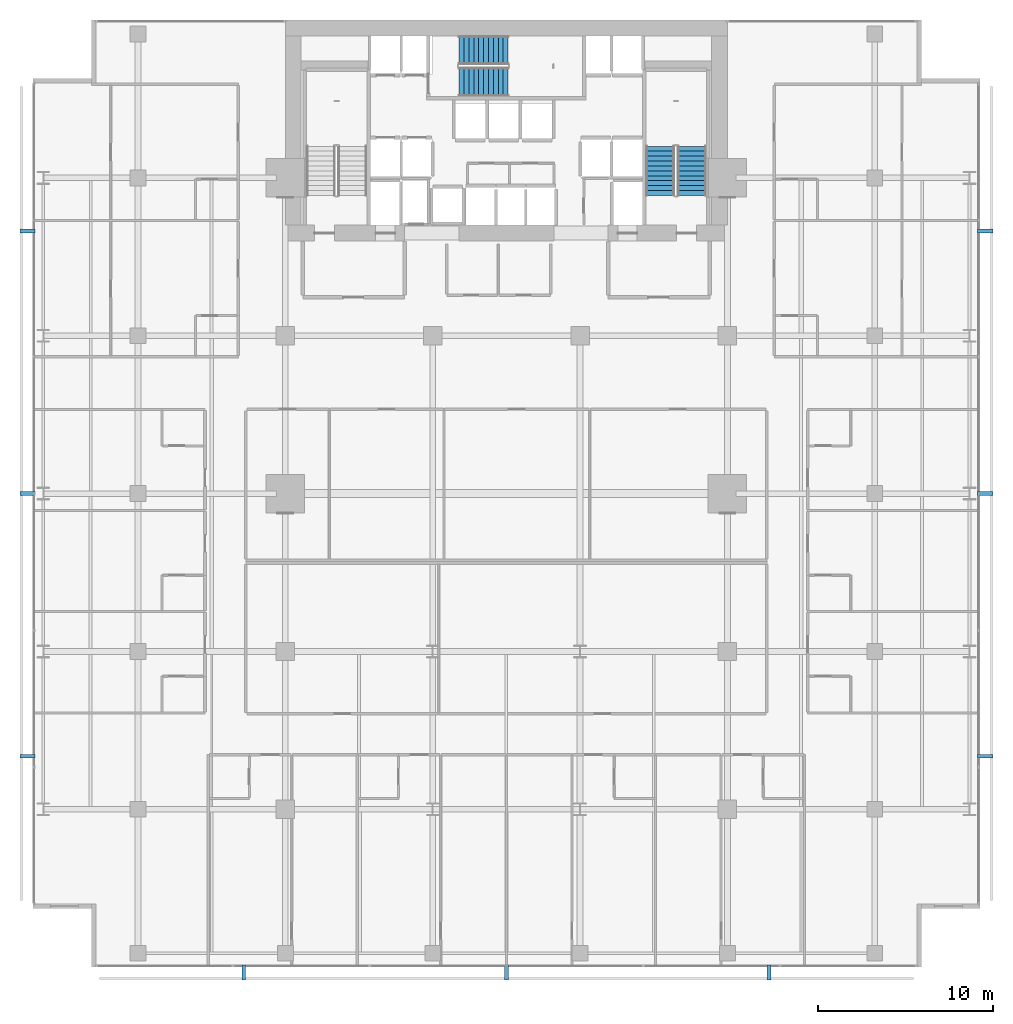
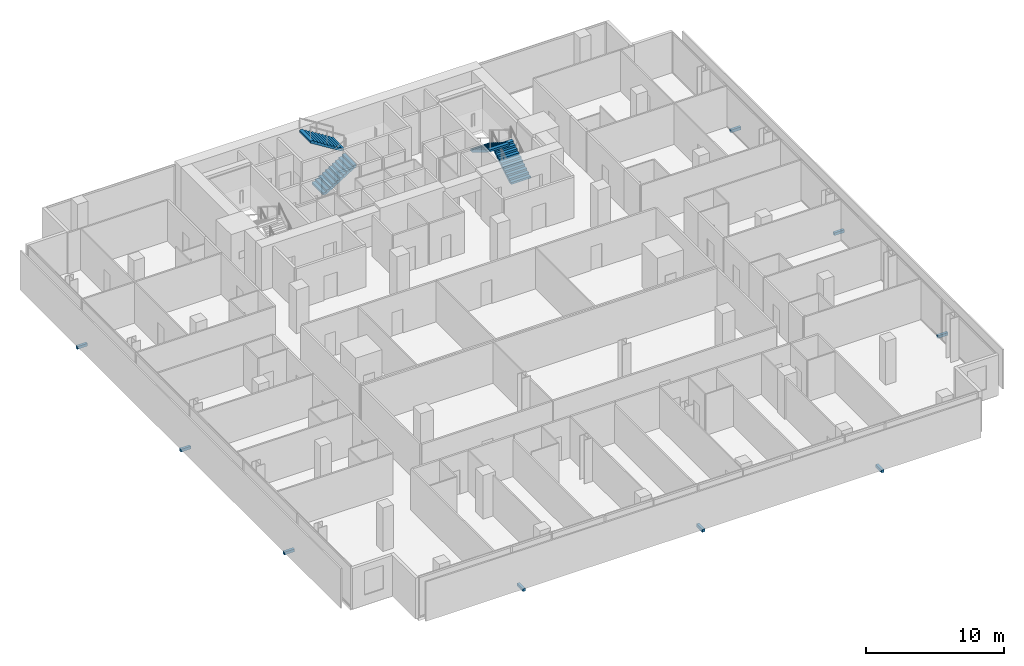
# One storey, part 38 of 40: 9 discrete accessories, 4 stair flights, 2 elements without a shape of their own.
"""IFC4 building model written with IfcOpenShell, lengths in metres."""

from ifc_helpers import new_model, si_unit, direction, frame, origin, origin_2d, place, context, subcontext, project, spatial, polyline, rectangle, outline, extrude, material, type_object, element, aggregate, save


model = new_model("IFC4")

# Units and contexts
model_context = context("Model", 3, precision=1e-05, world=origin(), true_north=direction((0.0, 1.0)))
body_context = subcontext(model_context, "Body", "Model", "MODEL_VIEW")
ifc_project = project(units=[si_unit("LENGTHUNIT", "METRE"), si_unit("AREAUNIT", "SQUARE_METRE"), si_unit("VOLUMEUNIT", "CUBIC_METRE"), si_unit("PLANEANGLEUNIT", "RADIAN"), si_unit("MASSUNIT", "GRAM", prefix="KILO")], contexts=[model_context])

# Site, building, storey
site_placement = place(None, origin())
site = spatial("IfcSite", under=ifc_project, at=site_placement, CompositionType="ELEMENT")
building_placement = place(site_placement, origin())
building = spatial("IfcBuilding", under=site, at=building_placement, Name="Maruvema Waterfront Hotel and Observation Tower", CompositionType="ELEMENT")
storey_placement = place(building_placement, frame((0.0, 0.0, 96.25)))
storey = spatial("IfcBuildingStorey", under=building, at=storey_placement, Name="L23", CompositionType="ELEMENT", Elevation=96.25)

# Stair, stair flights
ifc_material_1 = material(Name="Concrete C50/60", Category="concrete")
stair_type = type_object("IfcStairType", Name="Dogleg Exit Stair 1650 mm (22R x 175.0 mm)", PredefinedType="HALF_TURN_STAIR", material=ifc_material_1)
stair_1_placement = place(storey_placement, origin())
stair_1 = element("IfcStair", 1, at=stair_1_placement, inside=storey, type_object=stair_type, Name="L23 ST-02", PredefinedType="HALF_TURN_STAIR")
ifc_material_2 = material(Name="Concrete C50/60", Category="concrete")
stair_flight_type = type_object("IfcStairFlightType", Name="Reinforced Concrete Stair Flight 1650 mm (11R x 175.0 mm)", PredefinedType="STRAIGHT", material=ifc_material_2)
stair_flight_1_placement = place(storey_placement, frame((35.10009765625, 50.47509765625, 0.0), z_axis=(0.0, 0.0, 1.0), x_axis=(1.0, 0.0, 0.0)))
stair_flight_1 = element("IfcStairFlight", 2, at=stair_flight_1_placement, type_object=stair_flight_type, Name="ST-02 flight 1", NumberOfRisers=11, NumberOfTreads=10, PredefinedType="STRAIGHT", RiserHeight=0.175, TreadLength=0.28, context=body_context, shape_type="SweptSolid", body=[
    extrude(outline(polyline([(0.0, 0.0), (0.0, 0.175048828125), (0.280029296875, 0.175048828125), (0.280029296875, 0.35009765625), (0.56005859375, 0.35009765625), (0.56005859375, 0.52490234375), (0.840087890625, 0.52490234375), (0.840087890625, 0.699951171875), (1.1201171875, 0.699951171875), (1.1201171875, 0.875), (1.39990234375, 0.875), (1.39990234375, 1.050048828125), (1.679931640625, 1.050048828125), (1.679931640625, 1.22509765625), (1.9599609375, 1.22509765625), (1.9599609375, 1.39990234375), (2.239990234375, 1.39990234375), (2.239990234375, 1.574951171875), (2.52001953125, 1.574951171875), (2.52001953125, 1.75), (2.800048828125, 1.75), (2.800048828125, 1.925048828125), (2.800048828125, 1.5732421875), (0.28271484375, 0.0), (0.0, 0.0)])), frame((0.0, 0.824951171875, 0.0), z_axis=(0.0, -1.0, 0.0), x_axis=(1.0, 0.0, 0.0)), (0.0, 0.0, 1.0), 1.64990234375),
])
stair_flight_2_placement = place(storey_placement, frame((37.89990234375, 52.27490234375, 1.925048828125), z_axis=(0.0, 0.0, 1.0), x_axis=(-1.0, 0.0, 0.0)))
stair_flight_2 = element("IfcStairFlight", 3, at=stair_flight_2_placement, type_object=stair_flight_type, Name="ST-02 flight 2", NumberOfRisers=11, NumberOfTreads=10, PredefinedType="STRAIGHT", RiserHeight=0.175, TreadLength=0.28, context=body_context, shape_type="SweptSolid", body=[
    extrude(outline(polyline([(0.0, 0.0), (0.0, 0.175048828125), (0.280029296875, 0.175048828125), (0.280029296875, 0.35009765625), (0.56005859375, 0.35009765625), (0.56005859375, 0.52490234375), (0.840087890625, 0.52490234375), (0.840087890625, 0.699951171875), (1.1201171875, 0.699951171875), (1.1201171875, 0.875), (1.39990234375, 0.875), (1.39990234375, 1.050048828125), (1.679931640625, 1.050048828125), (1.679931640625, 1.22509765625), (1.9599609375, 1.22509765625), (1.9599609375, 1.39990234375), (2.239990234375, 1.39990234375), (2.239990234375, 1.574951171875), (2.52001953125, 1.574951171875), (2.52001953125, 1.75), (2.800048828125, 1.75), (2.800048828125, 1.925048828125), (2.800048828125, 1.5732421875), (0.28271484375, 0.0), (0.0, 0.0)])), frame((0.0, 0.824951171875, 0.0), z_axis=(0.0, -1.0, 0.0), x_axis=(1.0, 0.0, 0.0)), (0.0, 0.0, 1.0), 1.64990234375),
])
aggregate(stair_1, [stair_flight_1, stair_flight_2])

stair_2_placement = place(storey_placement, origin())
stair_2 = element("IfcStair", 4, at=stair_2_placement, inside=storey, type_object=stair_type, Name="L23 ST-03", PredefinedType="HALF_TURN_STAIR")
stair_flight_3_placement = place(storey_placement, frame((48.375, 44.0, 0.0), z_axis=(0.0, 0.0, 1.0), x_axis=(0.0, 1.0, 0.0)))
stair_flight_3 = element("IfcStairFlight", 5, at=stair_flight_3_placement, type_object=stair_flight_type, Name="ST-03 flight 1", NumberOfRisers=11, NumberOfTreads=10, PredefinedType="STRAIGHT", RiserHeight=0.175, TreadLength=0.28, context=body_context, shape_type="SweptSolid", body=[
    extrude(outline(polyline([(0.0, 0.0), (0.0, 0.175048828125), (0.280029296875, 0.175048828125), (0.280029296875, 0.35009765625), (0.56005859375, 0.35009765625), (0.56005859375, 0.52490234375), (0.840087890625, 0.52490234375), (0.840087890625, 0.699951171875), (1.1201171875, 0.699951171875), (1.1201171875, 0.875), (1.39990234375, 0.875), (1.39990234375, 1.050048828125), (1.679931640625, 1.050048828125), (1.679931640625, 1.22509765625), (1.9599609375, 1.22509765625), (1.9599609375, 1.39990234375), (2.239990234375, 1.39990234375), (2.239990234375, 1.574951171875), (2.52001953125, 1.574951171875), (2.52001953125, 1.75), (2.800048828125, 1.75), (2.800048828125, 1.925048828125), (2.800048828125, 1.5732421875), (0.28271484375, 0.0), (0.0, 0.0)])), frame((0.0, 0.824951171875, 0.0), z_axis=(0.0, -1.0, 0.0), x_axis=(1.0, 0.0, 0.0)), (0.0, 0.0, 1.0), 1.64990234375),
])
stair_flight_4_placement = place(storey_placement, frame((46.574951171875, 46.800048828125, 1.925048828125), z_axis=(0.0, 0.0, 1.0), x_axis=(0.0, -1.0, 0.0)))
stair_flight_4 = element("IfcStairFlight", 6, at=stair_flight_4_placement, type_object=stair_flight_type, Name="ST-03 flight 2", NumberOfRisers=11, NumberOfTreads=10, PredefinedType="STRAIGHT", RiserHeight=0.175, TreadLength=0.28, context=body_context, shape_type="SweptSolid", body=[
    extrude(outline(polyline([(0.0, 0.0), (0.0, 0.175048828125), (0.280029296875, 0.175048828125), (0.280029296875, 0.35009765625), (0.56005859375, 0.35009765625), (0.56005859375, 0.52490234375), (0.840087890625, 0.52490234375), (0.840087890625, 0.699951171875), (1.1201171875, 0.699951171875), (1.1201171875, 0.875), (1.39990234375, 0.875), (1.39990234375, 1.050048828125), (1.679931640625, 1.050048828125), (1.679931640625, 1.22509765625), (1.9599609375, 1.22509765625), (1.9599609375, 1.39990234375), (2.239990234375, 1.39990234375), (2.239990234375, 1.574951171875), (2.52001953125, 1.574951171875), (2.52001953125, 1.75), (2.800048828125, 1.75), (2.800048828125, 1.925048828125), (2.800048828125, 1.5732421875), (0.28271484375, 0.0), (0.0, 0.0)])), frame((0.0, 0.824951171875, 0.0), z_axis=(0.0, -1.0, 0.0), x_axis=(1.0, 0.0, 0.0)), (0.0, 0.0, 1.0), 1.64990234375),
])
aggregate(stair_2, [stair_flight_3, stair_flight_4])

# Discrete accessories
ifc_material_3 = material(Name="Duplex stainless steel Grade 2205", Category="steel")
discrete_accessory_type = type_object("IfcDiscreteAccessoryType", Name="Double-Skin Cavity Stainless Outrigger Bracket", PredefinedType="BRACKET", material=ifc_material_3)
for number, where, z_axis, x_axis, name in (
    (7, (22.823974609375, -0.300048828125, -0.14013671875), (0.0, 0.0, 1.0), (1.0, 0.0, 0.0), "L23 Outer Skin Support Bracket 1"),
    (8, (37.800048828125, -0.300048828125, -0.14013671875), (0.0, 0.0, 1.0), (1.0, 0.0, 0.0), "L23 Outer Skin Support Bracket 2"),
    (9, (52.77587890625, -0.300048828125, -0.14013671875), (0.0, 0.0, 1.0), (1.0, 0.0, 0.0), "L23 Outer Skin Support Bracket 3"),
    (10, (65.10009765625, 12.02392578125, -0.14013671875), (0.0, 0.0, 1.0), (0.0, 1.0, 0.0), "L23 Outer Skin Support Bracket 1"),
    (11, (65.10009765625, 27.0, -0.14013671875), (0.0, 0.0, 1.0), (0.0, 1.0, 0.0), "L23 Outer Skin Support Bracket 2"),
    (12, (65.10009765625, 41.97607421875, -0.14013671875), (0.0, 0.0, 1.0), (0.0, 1.0, 0.0), "L23 Outer Skin Support Bracket 3"),
    (13, (10.5, 41.97607421875, -0.14013671875), (0.0, 0.0, 1.0), (0.0, -1.0, 0.0), "L23 Outer Skin Support Bracket 1"),
    (14, (10.5, 27.0, -0.14013671875), (0.0, 0.0, 1.0), (0.0, -1.0, 0.0), "L23 Outer Skin Support Bracket 2"),
    (15, (10.5, 12.02392578125, -0.14013671875), (0.0, 0.0, 1.0), (0.0, -1.0, 0.0), "L23 Outer Skin Support Bracket 3"),
):
    element("IfcDiscreteAccessory", number, at=place(storey_placement, frame(where, z_axis=z_axis, x_axis=x_axis)), inside=storey, type_object=discrete_accessory_type, Name=name, PredefinedType="BRACKET", context=body_context, shape_type="SweptSolid", body=[
        extrude(rectangle(XDim=0.219970703125, YDim=0.860107421875, at=origin_2d()), origin(), (0.0, 0.0, 1.0), 0.239990234375),
    ])

save(model, "model.ifc")
